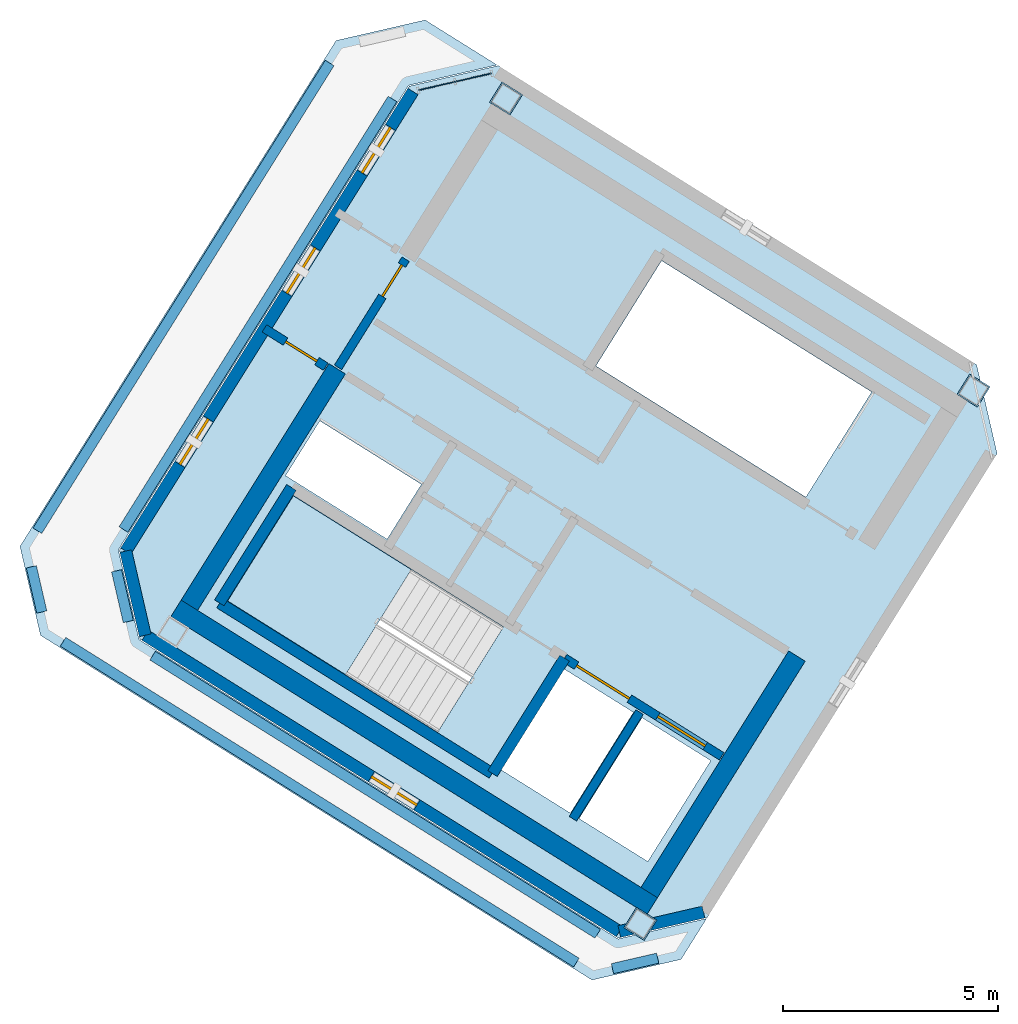
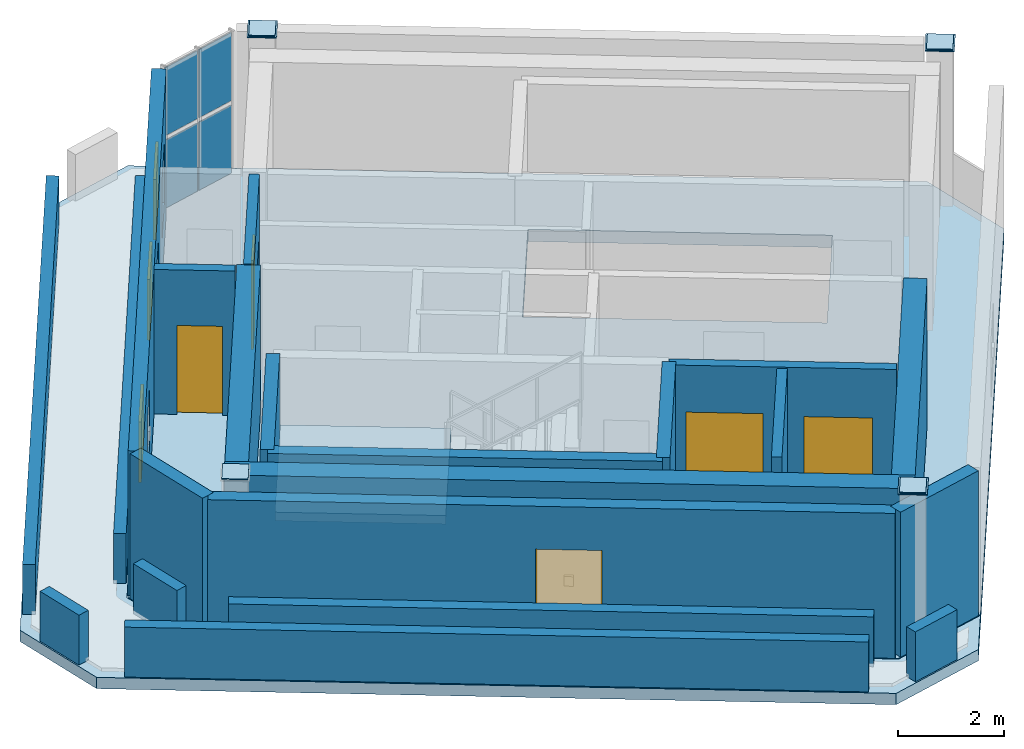
# One storey, part 3 of 5: 21 walls, 11 plates, 4 doors, 4 windows, 3 slabs, 8 openings, 2 elements without a shape of their own.
"""IFC4 building model written with IfcOpenShell, lengths in metres."""

from ifc_helpers import new_model, si_unit, direction, frame, frame_2d, origin, origin_2d, place, context, subcontext, project, spatial, polyline, rectangle, outline, extrude, source, transform, mapped, material, layer, layer_set, type_object, element, fill, aggregate, save


model = new_model("IFC4")

# Units and contexts
model_context = context("Model", 3, precision=1e-05, world=origin(), true_north=direction((0.0, 1.0)))
body_context = subcontext(model_context, "Body", "Model", "MODEL_VIEW")
ifc_project = project(units=[si_unit("LENGTHUNIT", "METRE"), si_unit("AREAUNIT", "SQUARE_METRE"), si_unit("VOLUMEUNIT", "CUBIC_METRE"), si_unit("PLANEANGLEUNIT", "RADIAN"), si_unit("MASSUNIT", "GRAM", prefix="KILO")], contexts=[model_context])

# Site, building, storey
site_placement = place(None, origin())
site = spatial("IfcSite", under=ifc_project, at=site_placement, CompositionType="ELEMENT")
building_placement = place(site_placement, origin())
building = spatial("IfcBuilding", under=site, at=building_placement, Name="Tlacorven Tower", CompositionType="ELEMENT")
storey_placement = place(building_placement, frame((0.0, 0.0, 316.800048828125)))
storey = spatial("IfcBuildingStorey", under=building, at=storey_placement, Name="L81", CompositionType="ELEMENT", Elevation=316.800048828125)

# Stair, slab
ifc_material_1 = material(Name="Concrete C40/50", Category="concrete")
stair_type = type_object("IfcStairType", Name="ST-CORE-DLG", PredefinedType="HALF_TURN_STAIR", material=ifc_material_1)
stair_placement = place(storey_placement, origin())
stair = element("IfcStair", 1, at=stair_placement, inside=storey, type_object=stair_type, Name="L81 Protected Exit Stair West 1", PredefinedType="HALF_TURN_STAIR")
ifc_layer_1 = layer(ifc_material_1, 0.199951171875)
ifc_layer_set_1 = layer_set([ifc_layer_1], Name="Concrete C40/50")
slab_type_1 = type_object("IfcSlabType", Name="SL-LND-200", PredefinedType="LANDING", material=ifc_layer_set_1)
slab_1_placement = place(storey_placement, frame((0.0, 0.0, 1.599853515625)))
slab_1 = element("IfcSlab", 2, at=slab_1_placement, type_object=slab_type_1, Name="ST-W1 landing 1", PredefinedType="LANDING", context=body_context, shape_type="SweptSolid", body=[
    extrude(outline(polyline([(27.728515625, 20.315185546875), (24.9892578125, 22.02685546875), (23.463134765625, 19.58447265625), (26.2021484375, 17.872802734375), (27.728515625, 20.315185546875)])), origin(), (0.0, 0.0, 1.0), 0.2001953125),
])
aggregate(stair, [slab_1])

# Slabs
ifc_layer_2 = layer(ifc_material_1, 0.260009765625)
ifc_layer_set_2 = layer_set([ifc_layer_2], Name="Concrete C40/50")
slab_type_2 = type_object("IfcSlabType", Name="SL-ROF-260", PredefinedType="ROOF", material=ifc_layer_set_2)
slab_2_placement = place(storey_placement, frame((0.0, 0.0, -0.260009765625)))
element("IfcSlab", 3, at=slab_2_placement, inside=storey, type_object=slab_type_2, Name="L81 Stepped Crown Terrace Roof Cap 1", PredefinedType="ROOF", context=body_context, shape_type="SweptSolid", body=[
    extrude(outline(polyline([(33.99169921875, 11.26025390625), (31.9248046875, 10.782958984375), (19.119140625, 18.78466796875), (18.64208984375, 20.851806640625), (25.9814453125, 32.59716796875), (28.04833984375, 33.074462890625), (29.720458984375, 32.029541015625), (27.673095703125, 31.556884765625), (27.671142578125, 31.556396484375), (27.66943359375, 31.5556640625), (27.66748046875, 31.5546875), (27.666015625, 31.5537109375), (27.664306640625, 31.552490234375), (27.6630859375, 31.551025390625), (27.66162109375, 31.549560546875), (27.66064453125, 31.5478515625), (20.9306640625, 20.77783203125), (20.9296875, 20.776123046875), (20.928955078125, 20.774169921875), (20.92822265625, 20.7724609375), (20.927734375, 20.7705078125), (20.927490234375, 20.7685546875), (20.927490234375, 20.7666015625), (20.927734375, 20.7646484375), (20.927978515625, 20.7626953125), (21.4052734375, 18.69580078125), (21.40576171875, 18.69384765625), (21.406494140625, 18.69189453125), (21.407470703125, 18.690185546875), (21.408447265625, 18.6884765625), (21.40966796875, 18.68701171875), (21.4111328125, 18.685546875), (21.41259765625, 18.684326171875), (21.4140625, 18.68310546875), (32.523681640625, 11.7412109375), (32.525390625, 11.740234375), (32.527099609375, 11.739501953125), (32.529052734375, 11.739013671875), (32.531005859375, 11.738525390625), (32.532958984375, 11.73828125), (32.534912109375, 11.73828125), (32.536865234375, 11.738525390625), (32.53857421875, 11.73876953125), (34.586181640625, 12.21142578125), (33.99169921875, 11.26025390625)])), origin(), (0.0, 0.0, 1.0), 0.260009765625),
])
ifc_material_2 = material(Name="Concrete C50/60", Category="concrete")
ifc_layer_3 = layer(ifc_material_2, 0.280029296875)
ifc_layer_set_3 = layer_set([ifc_layer_3], Name="Concrete C50/60")
slab_type_3 = type_object("IfcSlabType", Name="SL-WND-280", PredefinedType="FLOOR", material=ifc_layer_set_3)
slab_3_placement = place(storey_placement, frame((0.0, 0.0, -0.280029296875)))
element("IfcSlab", 4, at=slab_3_placement, inside=storey, type_object=slab_type_3, Name="L81 Stepped Crown Tier 6 Floor Slab", PredefinedType="FLOOR", context=body_context, shape_type="SweptSolid", body=[
    extrude(outline(polyline([(40.85400390625, 25.072509765625), (29.744384765625, 32.0146484375), (27.677490234375, 31.537353515625), (20.947509765625, 20.76708984375), (21.4248046875, 18.7001953125), (32.5341796875, 11.75830078125), (34.60107421875, 12.2353515625), (41.3310546875, 23.005615234375), (40.85400390625, 25.072509765625)]), holes=[polyline([(29.865478515625, 18.979736328125), (24.9892578125, 22.02685546875), (23.463134765625, 19.58447265625), (28.33935546875, 16.537353515625), (29.865478515625, 18.979736328125)]), polyline([(38.4169921875, 24.4375), (33.540771484375, 27.484375), (32.0146484375, 25.0419921875), (36.890869140625, 21.9951171875), (38.4169921875, 24.4375)]), polyline([(34.682373046875, 15.87548828125), (33.088134765625, 16.871826171875), (31.62548828125, 14.531005859375), (33.2197265625, 13.534912109375), (34.682373046875, 15.87548828125)]), polyline([(32.884521484375, 16.9990234375), (31.2392578125, 18.02685546875), (29.77685546875, 15.686279296875), (31.421875, 14.658203125), (32.884521484375, 16.9990234375)]), polyline([(27.96142578125, 22.2919921875), (25.603759765625, 23.76513671875), (24.80908203125, 22.4931640625), (27.16650390625, 21.02001953125), (27.96142578125, 22.2919921875)])]), origin(), (0.0, 0.0, 1.0), 0.280029296875),
])

# Plates
ifc_material_3 = material(Name="Steel S460M", Category="steel")
ifc_layer_4 = layer(ifc_material_3, 0.02001953125)
ifc_layer_set_4 = layer_set([ifc_layer_4], Name="Steel S460M")
plate_type_1 = type_object("IfcPlateType", Name="PL-CAP-END2", PredefinedType="USERDEFINED", material=ifc_layer_set_4)
shared_shape_1 = source(origin(), body_context, "Body", "SweptSolid", [
    extrude(rectangle(XDim=0.56005859375, YDim=0.56005859375, at=origin_2d()), origin(), (0.0, 0.0, 1.0), 0.02001953125),
])
for number, where, z_axis, x_axis, name in (
    (5, (40.782958984375, 24.468505859375, 3.579833984375), (0.0, 0.0, 1.0), (-0.848048096156, 0.529919264233, 0.0), "L81 Box Column Top Cap Plate COL-L81-CR11"),
    (6, (33.046142578125, 12.0869140625, 3.579833984375), (0.0, 0.0, 1.0), (-0.848048096156, 0.529919264233, 0.0), "L81 Box Column Top Cap Plate COL-L81-CR12"),
    (7, (29.927978515625, 31.25146484375, 3.579833984375), (0.0, 0.0, 1.0), (-0.848048096156, 0.529919264233, 0.0), "L81 Box Column Top Cap Plate COL-L81-CR21"),
):
    element("IfcPlate", number, at=place(storey_placement, frame(where, z_axis=z_axis, x_axis=x_axis)), inside=storey, type_object=plate_type_1, Name=name, ObjectType="END PLATE", PredefinedType="USERDEFINED", context=body_context, shape_type="MappedRepresentation", body=[
        mapped(shared_shape_1, transform((0.0, 0.0, 0.0), scale=1.0)),
    ])
ifc_layer_5 = layer(ifc_material_3, 0.02392578125)
ifc_layer_set_5 = layer_set([ifc_layer_5], Name="Steel S460M")
plate_type_2 = type_object("IfcPlateType", Name="PL-CAP-END1", PredefinedType="USERDEFINED", material=ifc_layer_set_5)
shared_shape_2 = source(origin(), body_context, "Body", "SweptSolid", [
    extrude(rectangle(XDim=0.5, YDim=0.5, at=origin_2d()), origin(), (0.0, 0.0, 1.0), 0.02392578125),
])
for number, where, z_axis, x_axis, name in (
    (8, (40.782958984375, 24.468505859375, 3.597900390625), (0.0, 0.0, 1.0), (-0.848048096156, 0.529919264233, 0.0), "L81 Hollow Column Top Cap Plate COL-L81-CR11"),
    (9, (33.046142578125, 12.0869140625, 3.597900390625), (0.0, 0.0, 1.0), (-0.848048096156, 0.529919264233, 0.0), "L81 Hollow Column Top Cap Plate COL-L81-CR12"),
    (10, (29.927978515625, 31.25146484375, 3.597900390625), (0.0, 0.0, 1.0), (-0.848048096156, 0.529919264233, 0.0), "L81 Hollow Column Top Cap Plate COL-L81-CR21"),
    (11, (22.191162109375, 18.869873046875, 3.597900390625), (0.0, 0.0, 1.0), (-0.848048096156, 0.529919264233, 0.0), "L81 Hollow Column Top Cap Plate COL-L81-CR22"),
):
    element("IfcPlate", number, at=place(storey_placement, frame(where, z_axis=z_axis, x_axis=x_axis)), inside=storey, type_object=plate_type_2, Name=name, ObjectType="END PLATE", PredefinedType="USERDEFINED", context=body_context, shape_type="MappedRepresentation", body=[
        mapped(shared_shape_2, transform((0.0, 0.0, 0.0), scale=1.0)),
    ])

# Curtain wall, plates
ifc_material_4 = material(Name="Dark solar low-E double glazing in aluminium frame", Category="aluminium")
curtain_wall_type = type_object("IfcCurtainWallType", Name="CW-CRN-LANTERN", PredefinedType="USERDEFINED", material=ifc_material_4)
curtain_wall_placement = place(storey_placement, origin())
curtain_wall = element("IfcCurtainWall", 12, at=curtain_wall_placement, inside=storey, type_object=curtain_wall_type, Name="L81 CW-CRN-LANTERN Curtain Wall 367", ObjectType="UNITISED CURTAIN WALL", PredefinedType="USERDEFINED")
ifc_material_5 = material(Name="Crown dark solar fritted low-E glazing", Category="glass")
ifc_layer_6 = layer(ifc_material_5, 0.02392578125)
ifc_layer_set_6 = layer_set([ifc_layer_6], Name="Crown dark solar fritted low-E glazing")
plate_type_3 = type_object("IfcPlateType", Name="CWP-04", PredefinedType="CURTAIN_PANEL", material=ifc_layer_set_6)
shared_shape_3 = source(origin(), body_context, "Body", "SweptSolid", [
    extrude(rectangle(XDim=0.838134765625, YDim=0.02392578125, at=origin_2d()), origin(), (0.0, 0.0, 1.0), 1.568115234375),
])
plate_1_placement = place(storey_placement, frame((28.316162109375, 31.541015625, 0.05078125), z_axis=(0.0, 0.0, 1.0), x_axis=(0.974369342296, 0.224954183764, 0.0)))
plate_1 = element("IfcPlate", 13, at=plate_1_placement, type_object=plate_type_3, Name="CW-L81-367 Glazing Panel 1", PredefinedType="CURTAIN_PANEL", context=body_context, shape_type="MappedRepresentation", body=[
    mapped(shared_shape_3, transform((0.0, 0.0, 0.0), scale=1.0)),
])
plate_2_placement = place(storey_placement, frame((28.316162109375, 31.541015625, 1.720703125), z_axis=(0.0, 0.0, 1.0), x_axis=(0.974369342296, 0.224954183764, 0.0)))
plate_2 = element("IfcPlate", 14, at=plate_2_placement, type_object=plate_type_3, Name="CW-L81-367 Glazing Panel 2", PredefinedType="CURTAIN_PANEL", context=body_context, shape_type="MappedRepresentation", body=[
    mapped(shared_shape_3, transform((0.0, 0.0, 0.0), scale=1.0)),
])
plate_3_placement = place(storey_placement, frame((29.1689453125, 31.738037109375, 0.05078125), z_axis=(0.0, 0.0, 1.0), x_axis=(0.974369342296, 0.224954183764, 0.0)))
plate_3 = element("IfcPlate", 15, at=plate_3_placement, type_object=plate_type_3, Name="CW-L81-367 Glazing Panel 3", PredefinedType="CURTAIN_PANEL", context=body_context, shape_type="MappedRepresentation", body=[
    mapped(shared_shape_3, transform((0.0, 0.0, 0.0), scale=1.0)),
])
plate_4_placement = place(storey_placement, frame((29.1689453125, 31.738037109375, 1.720703125), z_axis=(0.0, 0.0, 1.0), x_axis=(0.974369342296, 0.224954183764, 0.0)))
plate_4 = element("IfcPlate", 16, at=plate_4_placement, type_object=plate_type_3, Name="CW-L81-367 Glazing Panel 4", PredefinedType="CURTAIN_PANEL", context=body_context, shape_type="MappedRepresentation", body=[
    mapped(shared_shape_3, transform((0.0, 0.0, 0.0), scale=1.0)),
])
aggregate(curtain_wall, [plate_1, plate_2, plate_3, plate_4])

# Walls
ifc_layer_7 = layer(ifc_material_2, 0.449951171875)
ifc_layer_set_7 = layer_set([ifc_layer_7], Name="Concrete C50/60")
wall_type_1 = type_object("IfcWallType", Name="WL-COR-450", PredefinedType="SHEAR", material=ifc_layer_set_7)
wall_1_placement = place(storey_placement, frame((33.32373046875, 12.5029296875, 0.0), z_axis=(0.0, 0.0, 1.0), x_axis=(-0.848043529849, 0.529926571782, 0.0)))
element("IfcWall", 17, at=wall_1_placement, inside=storey, type_object=wall_type_1, Name="L81 W core shear wall S2", PredefinedType="SHEAR", context=body_context, shape_type="SweptSolid", body=[
    extrude(rectangle(XDim=13.039794921875, YDim=0.449951171875, at=frame_2d((6.52001953125, 0.0))), origin(), (0.0, 0.0, 1.0), 3.33984375),
])
for number, where, z_axis, x_axis, name in (
    (18, (36.683349609375, 18.30419921875, 0.0), (0.0, 0.0, 1.0), (-0.529904039071, -0.848057609704, 0.0), "L81 W core end wall E1.2"),
    (19, (26.006591796875, 24.975830078125, 0.0), (0.0, 0.0, 1.0), (-0.529931155655, -0.848040665456, 0.0), "L81 W core end wall E2.2"),
):
    element("IfcWall", number, at=place(storey_placement, frame(where, z_axis=z_axis, x_axis=x_axis)), inside=storey, type_object=wall_type_1, Name=name, PredefinedType="SHEAR", context=body_context, shape_type="SweptSolid", body=[
        extrude(rectangle(XDim=6.47509765625, YDim=0.449951171875, at=frame_2d((3.237548828125, 0.0))), origin(), (0.0, 0.0, 1.0), 3.33984375),
    ])
ifc_material_6 = material(Name="Precast concrete C45/55", Category="concrete")
ifc_layer_8 = layer(ifc_material_6, 0.280029296875)
ifc_layer_set_8 = layer_set([ifc_layer_8], Name="Precast concrete C45/55")
wall_type_2 = type_object("IfcWallType", Name="WL-EXT-280", PredefinedType="STANDARD", material=ifc_layer_set_8)
wall_2_placement = place(storey_placement, frame((34.51318359375, 12.35888671875, 0.0), z_axis=(0.0, 0.0, 1.0), x_axis=(-0.974366569301, -0.224966194411, 0.0)))
element("IfcWall", 20, at=wall_2_placement, inside=storey, type_object=wall_type_2, Name="L81 Masonry-Frame Recessed Facade Wall 2", PredefinedType="STANDARD", context=body_context, shape_type="SweptSolid", body=[
    extrude(rectangle(XDim=2.005615234375, YDim=0.280029296875, at=frame_2d((1.0029296875, 0.0))), origin(), (0.0, 0.0, 1.0), 3.33984375),
])

# Wall, opening, window
wall_3_placement = place(storey_placement, frame((32.55908203125, 11.90771484375, 0.0), z_axis=(0.0, 0.0, 1.0), x_axis=(-0.848050062002, 0.529916118209, 0.0)))
wall_3 = element("IfcWall", 21, at=wall_3_placement, inside=storey, type_object=wall_type_2, Name="L81 Masonry-Frame Recessed Facade Wall 3", PredefinedType="STANDARD", context=body_context, shape_type="SweptSolid", body=[
    extrude(rectangle(XDim=12.98388671875, YDim=0.280029296875, at=frame_2d((6.491943359375, 0.0))), origin(), (0.0, 0.0, 1.0), 3.33984375),
])
opening_1_placement = place(wall_3_placement, frame((5.541015625, 0.0, 0.949951171875)))
opening_1 = element("IfcOpeningElement", 22, at=opening_1_placement, cuts=wall_3, Name="Opening WN20", PredefinedType="OPENING", context=body_context, shape_type="SweptSolid", body=[
    extrude(rectangle(XDim=1.25, YDim=1.39990234375, at=frame_2d((0.625, 0.699951171875))), frame((0.0, 0.14990234375, 0.0), z_axis=(0.0, -1.0, 0.0), x_axis=(1.0, 0.0, 0.0)), (0.0, 0.0, 1.0), 0.300048828125),
])
ifc_material_7 = material(Name="Dark solar low-E double glazing in anodised aluminium frame", Category="aluminium")
window_type = type_object("IfcWindowType", Name="WN-CRN-1250X1500", PartitioningType="SINGLE_PANEL", PredefinedType="WINDOW", material=ifc_material_7)
shared_shape_4 = source(origin(), body_context, "Body", "SweptSolid", [
    extrude(rectangle(XDim=1.25, YDim=1.39990234375, at=frame_2d((0.625, 0.699951171875))), frame((0.0, 0.030029296875, 0.0), z_axis=(0.0, -1.0, 0.0), x_axis=(1.0, 0.0, 0.0)), (0.0, 0.0, 1.0), 0.06005859375),
])
window_1_placement = place(opening_1_placement, origin())
window_1 = element("IfcWindow", 23, at=window_1_placement, inside=storey, type_object=window_type, Name="L81 Acoustic Plant Facade Window 3.1", OverallHeight=1.39990234375, OverallWidth=1.25, PartitioningType="SINGLE_PANEL", PredefinedType="WINDOW", context=body_context, shape_type="MappedRepresentation", body=[
    mapped(shared_shape_4, transform((0.0, 0.0, 0.0), scale=1.0)),
])
fill(opening_1, window_1)

# Wall
wall_4_placement = place(storey_placement, frame((21.548095703125, 18.7880859375, 0.0), z_axis=(0.0, 0.0, 1.0), x_axis=(-0.224966194411, 0.974366569301, 0.0)))
element("IfcWall", 24, at=wall_4_placement, inside=storey, type_object=wall_type_2, Name="L81 Masonry-Frame Recessed Facade Wall 4", PredefinedType="STANDARD", context=body_context, shape_type="SweptSolid", body=[
    extrude(rectangle(XDim=2.005615234375, YDim=0.280029296875, at=frame_2d((1.0029296875, 0.0))), origin(), (0.0, 0.0, 1.0), 3.33984375),
])

# Wall, openings, windows
wall_5_placement = place(storey_placement, frame((21.096923828125, 20.7421875, 0.0), z_axis=(0.0, 0.0, 1.0), x_axis=(0.529929183008, 0.848041898138, 0.0)))
wall_5 = element("IfcWall", 25, at=wall_5_placement, inside=storey, type_object=wall_type_2, Name="L81 Masonry-Frame Recessed Facade Wall 5", PredefinedType="STANDARD", context=body_context, shape_type="SweptSolid", body=[
    extrude(rectangle(XDim=12.584228515625, YDim=0.280029296875, at=frame_2d((6.2919921875, 0.0))), origin(), (0.0, 0.0, 1.0), 3.33984375),
])
opening_2_placement = place(wall_5_placement, frame((2.37109375, 0.0, 0.949951171875)))
opening_2 = element("IfcOpeningElement", 26, at=opening_2_placement, cuts=wall_5, Name="Opening WN20", PredefinedType="OPENING", context=body_context, shape_type="SweptSolid", body=[
    extrude(rectangle(XDim=1.25, YDim=1.39990234375, at=frame_2d((0.625, 0.699951171875))), frame((0.0, 0.14990234375, 0.0), z_axis=(0.0, -1.0, 0.0), x_axis=(1.0, 0.0, 0.0)), (0.0, 0.0, 1.0), 0.300048828125),
])
opening_3_placement = place(wall_5_placement, frame((7.056884765625, 0.0, 0.949951171875)))
opening_3 = element("IfcOpeningElement", 27, at=opening_3_placement, cuts=wall_5, Name="Opening WN20", PredefinedType="OPENING", context=body_context, shape_type="SweptSolid", body=[
    extrude(rectangle(XDim=1.25, YDim=1.39990234375, at=frame_2d((0.625, 0.699951171875))), frame((0.0, 0.14990234375, 0.0), z_axis=(0.0, -1.0, 0.0), x_axis=(1.0, 0.0, 0.0)), (0.0, 0.0, 1.0), 0.300048828125),
])
opening_4_placement = place(wall_5_placement, frame((10.35302734375, 0.0, 0.949951171875)))
opening_4 = element("IfcOpeningElement", 28, at=opening_4_placement, cuts=wall_5, Name="Opening WN20", PredefinedType="OPENING", context=body_context, shape_type="SweptSolid", body=[
    extrude(rectangle(XDim=1.25, YDim=1.39990234375, at=frame_2d((0.625, 0.699951171875))), frame((0.0, 0.14990234375, 0.0), z_axis=(0.0, -1.0, 0.0), x_axis=(1.0, 0.0, 0.0)), (0.0, 0.0, 1.0), 0.300048828125),
])
window_2_placement = place(opening_2_placement, origin())
window_2 = element("IfcWindow", 29, at=window_2_placement, inside=storey, type_object=window_type, Name="L81 Acoustic Plant Facade Window 5.1", OverallHeight=1.39990234375, OverallWidth=1.25, PartitioningType="SINGLE_PANEL", PredefinedType="WINDOW", context=body_context, shape_type="MappedRepresentation", body=[
    mapped(shared_shape_4, transform((0.0, 0.0, 0.0), scale=1.0)),
])
fill(opening_2, window_2)
window_3_placement = place(opening_3_placement, origin())
window_3 = element("IfcWindow", 30, at=window_3_placement, inside=storey, type_object=window_type, Name="L81 Acoustic Plant Facade Window 5.2", OverallHeight=1.39990234375, OverallWidth=1.25, PartitioningType="SINGLE_PANEL", PredefinedType="WINDOW", context=body_context, shape_type="MappedRepresentation", body=[
    mapped(shared_shape_4, transform((0.0, 0.0, 0.0), scale=1.0)),
])
fill(opening_3, window_3)
window_4_placement = place(opening_4_placement, origin())
window_4 = element("IfcWindow", 31, at=window_4_placement, inside=storey, type_object=window_type, Name="L81 Acoustic Plant Facade Window 5.3", OverallHeight=1.39990234375, OverallWidth=1.25, PartitioningType="SINGLE_PANEL", PredefinedType="WINDOW", context=body_context, shape_type="MappedRepresentation", body=[
    mapped(shared_shape_4, transform((0.0, 0.0, 0.0), scale=1.0)),
])
fill(opening_4, window_4)

# Walls
ifc_layer_9 = layer(ifc_material_6, 0.239990234375)
ifc_layer_set_9 = layer_set([ifc_layer_9], Name="Precast concrete C45/55")
wall_type_3 = type_object("IfcWallType", Name="WL-PAR-240", PredefinedType="PARAPET", material=ifc_layer_set_9)
wall_6_placement = place(storey_placement, frame((33.44921875, 11.288818359375, 0.0), z_axis=(0.0, 0.0, 1.0), x_axis=(-0.974383553348, -0.224892620968, 0.0)))
element("IfcWall", 32, at=wall_6_placement, inside=storey, type_object=wall_type_3, Name="L81 Stepped Crown Terrace Parapet 1 1", PredefinedType="PARAPET", context=body_context, shape_type="SweptSolid", body=[
    extrude(rectangle(XDim=1.076904296875, YDim=0.239990234375, at=frame_2d((0.53857421875, 0.0))), origin(), (0.0, 0.0, 1.0), 1.14990234375),
])
wall_7_placement = place(storey_placement, frame((31.5615234375, 11.186767578125, 0.0), z_axis=(0.0, 0.0, 1.0), x_axis=(-0.848045139611, 0.529923995666, 0.0)))
element("IfcWall", 33, at=wall_7_placement, inside=storey, type_object=wall_type_3, Name="L81 Stepped Crown Terrace Parapet 1 2", PredefinedType="PARAPET", context=body_context, shape_type="SweptSolid", body=[
    extrude(rectangle(XDim=14.0556640625, YDim=0.239990234375, at=frame_2d((7.02783203125, 0.0))), origin(), (0.0, 0.0, 1.0), 1.14990234375),
])
wall_8_placement = place(storey_placement, frame((19.14794921875, 19.3271484375, 0.0), z_axis=(0.0, 0.0, 1.0), x_axis=(-0.224842953123, 0.974395015602, 0.0)))
element("IfcWall", 34, at=wall_8_placement, inside=storey, type_object=wall_type_3, Name="L81 Stepped Crown Terrace Parapet 1 3", PredefinedType="PARAPET", context=body_context, shape_type="SweptSolid", body=[
    extrude(rectangle(XDim=1.0771484375, YDim=0.239990234375, at=frame_2d((0.53857421875, 0.0))), origin(), (0.0, 0.0, 1.0), 1.14990234375),
])
wall_9_placement = place(storey_placement, frame((19.0458984375, 21.215087890625, 0.0), z_axis=(0.0, 0.0, 1.0), x_axis=(0.529926962877, 0.848043285461, 0.0)))
element("IfcWall", 35, at=wall_9_placement, inside=storey, type_object=wall_type_3, Name="L81 Stepped Crown Terrace Parapet 1 4", PredefinedType="PARAPET", context=body_context, shape_type="SweptSolid", body=[
    extrude(rectangle(XDim=12.805908203125, YDim=0.239990234375, at=frame_2d((6.40283203125, 0.0))), origin(), (0.0, 0.0, 1.0), 1.14990234375),
])
wall_10_placement = place(storey_placement, frame((27.29150390625, 31.240478515625, 0.0), z_axis=(0.0, 0.0, 1.0), x_axis=(-0.529915158755, -0.84805066153, 0.0)))
element("IfcWall", 36, at=wall_10_placement, inside=storey, type_object=wall_type_3, Name="L81 Stepped Crown Terrace Parapet 1 6", PredefinedType="PARAPET", context=body_context, shape_type="SweptSolid", body=[
    extrude(rectangle(XDim=11.787353515625, YDim=0.239990234375, at=frame_2d((5.8935546875, 0.0))), origin(), (0.0, 0.0, 1.0), 1.14990234375),
])
wall_11_placement = place(storey_placement, frame((20.884521484375, 20.2841796875, 0.0), z_axis=(0.0, 0.0, 1.0), x_axis=(0.225051308725, -0.974346913805, 0.0)))
element("IfcWall", 37, at=wall_11_placement, inside=storey, type_object=wall_type_3, Name="L81 Stepped Crown Terrace Parapet 1 7", PredefinedType="PARAPET", context=body_context, shape_type="SweptSolid", body=[
    extrude(rectangle(XDim=1.20849609375, YDim=0.239990234375, at=frame_2d((0.604248046875, 0.0))), origin(), (0.0, 0.0, 1.0), 1.14990234375),
])
wall_12_placement = place(storey_placement, frame((21.7216796875, 18.314208984375, 0.0), z_axis=(0.0, 0.0, 1.0), x_axis=(0.848044443536, -0.529925109604, 0.0)))
element("IfcWall", 38, at=wall_12_placement, inside=storey, type_object=wall_type_3, Name="L81 Stepped Crown Terrace Parapet 1 8", PredefinedType="PARAPET", context=body_context, shape_type="SweptSolid", body=[
    extrude(rectangle(XDim=12.18701171875, YDim=0.239990234375, at=frame_2d((6.093505859375, 0.0))), origin(), (0.0, 0.0, 1.0), 1.14990234375),
])

# Wall, openings, doors
ifc_layer_10 = layer(ifc_material_1, 0.199951171875)
ifc_layer_set_10 = layer_set([ifc_layer_10], Name="Concrete C40/50")
wall_type_4 = type_object("IfcWallType", Name="WL-SHF-200", PredefinedType="STANDARD", material=ifc_layer_set_10)
wall_13_placement = place(storey_placement, frame((34.93310546875, 15.978271484375, 0.0), z_axis=(0.0, 0.0, 1.0), x_axis=(-0.848055739377, 0.529907032327, 0.0)))
wall_13 = element("IfcWall", 39, at=wall_13_placement, inside=storey, type_object=wall_type_4, Name="L81 Core W Firefighting Lift Shaft Front Wall", PredefinedType="STANDARD", context=body_context, shape_type="SweptSolid", body=[
    extrude(rectangle(XDim=4.298095703125, YDim=0.199951171875, at=frame_2d((2.14892578125, 0.0))), origin(), (0.0, 0.0, 1.0), 3.329833984375),
])
opening_5_placement = place(wall_13_placement, frame((0.447998046875, 0.0, 0.0)))
opening_5 = element("IfcOpeningElement", 40, at=opening_5_placement, cuts=wall_13, Name="Opening LD03", PredefinedType="OPENING", context=body_context, shape_type="SweptSolid", body=[
    extrude(rectangle(XDim=1.300048828125, YDim=2.199951171875, at=frame_2d((0.64990234375, 1.10009765625))), frame((0.0, 0.10986328125, 0.0), z_axis=(0.0, -1.0, 0.0), x_axis=(1.0, 0.0, 0.0)), (0.0, 0.0, 1.0), 0.219970703125),
])
opening_6_placement = place(wall_13_placement, frame((2.52294921875, 0.0, 0.0)))
opening_6 = element("IfcOpeningElement", 41, at=opening_6_placement, cuts=wall_13, Name="Opening LD04", PredefinedType="OPENING", context=body_context, shape_type="SweptSolid", body=[
    extrude(rectangle(XDim=1.449951171875, YDim=2.25, at=frame_2d((0.72509765625, 1.125))), frame((0.0, 0.10986328125, 0.0), z_axis=(0.0, -1.0, 0.0), x_axis=(1.0, 0.0, 0.0)), (0.0, 0.0, 1.0), 0.219970703125),
])
ifc_material_8 = material(Name="Fire-rated steel door assembly", Category="steel")
door_type_1 = type_object("IfcDoorType", Name="DR-LFT-SLID-1300", OperationType="DOUBLE_DOOR_SLIDING", PredefinedType="DOOR", material=ifc_material_8)
shared_shape_5 = source(origin(), body_context, "Body", "SweptSolid", [
    extrude(rectangle(XDim=1.300048828125, YDim=2.199951171875, at=frame_2d((0.64990234375, 1.10009765625))), frame((0.0, 0.02490234375, 0.0), z_axis=(0.0, -1.0, 0.0), x_axis=(1.0, 0.0, 0.0)), (0.0, 0.0, 1.0), 0.050048828125),
])
door_1_placement = place(opening_5_placement, origin())
door_1 = element("IfcDoor", 42, at=door_1_placement, inside=storey, type_object=door_type_1, Name="L81 Lift FFL-W1 Sliding Landing Door", OperationType="DOUBLE_DOOR_SLIDING", OverallHeight=2.199951171875, OverallWidth=1.300048828125, PredefinedType="DOOR", context=body_context, shape_type="MappedRepresentation", body=[
    mapped(shared_shape_5, transform((0.0, 0.0, 0.0), scale=1.0)),
])
fill(opening_5, door_1)
door_type_2 = type_object("IfcDoorType", Name="DR-LFT-SLID-1450", OperationType="DOUBLE_DOOR_SLIDING", PredefinedType="DOOR", material=ifc_material_8)
shared_shape_6 = source(origin(), body_context, "Body", "SweptSolid", [
    extrude(rectangle(XDim=1.449951171875, YDim=2.25, at=frame_2d((0.72509765625, 1.125))), frame((0.0, 0.02490234375, 0.0), z_axis=(0.0, -1.0, 0.0), x_axis=(1.0, 0.0, 0.0)), (0.0, 0.0, 1.0), 0.050048828125),
])
door_2_placement = place(opening_6_placement, origin())
door_2 = element("IfcDoor", 43, at=door_2_placement, inside=storey, type_object=door_type_2, Name="L81 Lift SVL-W1 Sliding Landing Door", OperationType="DOUBLE_DOOR_SLIDING", OverallHeight=2.25, OverallWidth=1.449951171875, PredefinedType="DOOR", context=body_context, shape_type="MappedRepresentation", body=[
    mapped(shared_shape_6, transform((0.0, 0.0, 0.0), scale=1.0)),
])
fill(opening_6, door_2)

# Wall
wall_14_placement = place(storey_placement, frame((33.02880859375, 17.003173828125, 0.0), z_axis=(0.0, 0.0, 1.0), x_axis=(-0.529916267533, -0.848049968695, 0.0)))
element("IfcWall", 44, at=wall_14_placement, inside=storey, type_object=wall_type_4, Name="L81 partition 13", PredefinedType="STANDARD", context=body_context, shape_type="SweptSolid", body=[
    extrude(rectangle(XDim=2.919921875, YDim=0.199951171875, at=frame_2d((1.4599609375, 0.0))), origin(), (0.0, 0.0, 1.0), 3.329833984375),
])

# Wall, opening, door
wall_15_placement = place(storey_placement, frame((27.59619140625, 27.52001953125, 0.0), z_axis=(0.0, 0.0, 1.0), x_axis=(-0.529865479138, -0.848081702443, 0.0)))
wall_15 = element("IfcWall", 45, at=wall_15_placement, inside=storey, type_object=wall_type_4, Name="L81 partition 20", PredefinedType="STANDARD", context=body_context, shape_type="SweptSolid", body=[
    extrude(rectangle(XDim=2.9599609375, YDim=0.199951171875, at=frame_2d((1.47998046875, 0.0))), origin(), (0.0, 0.0, 1.0), 3.329833984375),
])
opening_7_placement = place(wall_15_placement, frame((0.159912109375, 0.0, 0.0)))
opening_7 = element("IfcOpeningElement", 46, at=opening_7_placement, cuts=wall_15, Name="Opening D19", PredefinedType="OPENING", context=body_context, shape_type="SweptSolid", body=[
    extrude(rectangle(XDim=0.860107421875, YDim=2.050048828125, at=frame_2d((0.43017578125, 1.02490234375))), frame((0.0, 0.10986328125, 0.0), z_axis=(0.0, -1.0, 0.0), x_axis=(1.0, 0.0, 0.0)), (0.0, 0.0, 1.0), 0.219970703125),
])
door_type_3 = type_object("IfcDoorType", Name="DR-RSR-FD60-0860", OperationType="NOTDEFINED", PredefinedType="DOOR", material=ifc_material_8)
shared_shape_7 = source(origin(), body_context, "Body", "SweptSolid", [
    extrude(rectangle(XDim=0.860107421875, YDim=2.050048828125, at=frame_2d((0.43017578125, 1.02490234375))), frame((0.0, 0.02490234375, 0.0), z_axis=(0.0, -1.0, 0.0), x_axis=(1.0, 0.0, 0.0)), (0.0, 0.0, 1.0), 0.050048828125),
])
door_3_placement = place(opening_7_placement, origin())
door_3 = element("IfcDoor", 47, at=door_3_placement, inside=storey, type_object=door_type_3, Name="L81 door 012", OperationType="SINGLE_SWING_LEFT", OverallHeight=2.050048828125, OverallWidth=0.860107421875, PredefinedType="DOOR", context=body_context, shape_type="MappedRepresentation", body=[
    mapped(shared_shape_7, transform((0.0, 0.0, 0.0), scale=1.0)),
])
fill(opening_7, door_3)

wall_16_placement = place(storey_placement, frame((25.73974609375, 25.024658203125, 0.0), z_axis=(0.0, 0.0, 1.0), x_axis=(-0.848031001218, 0.529946620871, 0.0)))
wall_16 = element("IfcWall", 48, at=wall_16_placement, inside=storey, type_object=wall_type_4, Name="L81 partition 21", PredefinedType="STANDARD", context=body_context, shape_type="SweptSolid", body=[
    extrude(rectangle(XDim=1.677734375, YDim=0.199951171875, at=frame_2d((0.8388671875, 0.0))), origin(), (0.0, 0.0, 1.0), 3.329833984375),
])
opening_8_placement = place(wall_16_placement, frame((0.238037109375, 0.0, 0.0)))
opening_8 = element("IfcOpeningElement", 49, at=opening_8_placement, cuts=wall_16, Name="Opening D19", PredefinedType="OPENING", context=body_context, shape_type="SweptSolid", body=[
    extrude(rectangle(XDim=0.860107421875, YDim=2.050048828125, at=frame_2d((0.43017578125, 1.02490234375))), frame((0.0, 0.10986328125, 0.0), z_axis=(0.0, -1.0, 0.0), x_axis=(1.0, 0.0, 0.0)), (0.0, 0.0, 1.0), 0.219970703125),
])
door_4_placement = place(opening_8_placement, origin())
door_4 = element("IfcDoor", 50, at=door_4_placement, inside=storey, type_object=door_type_3, Name="L81 door 013", OperationType="SINGLE_SWING_RIGHT", OverallHeight=2.050048828125, OverallWidth=0.860107421875, PredefinedType="DOOR", context=body_context, shape_type="MappedRepresentation", body=[
    mapped(shared_shape_7, transform((0.0, 0.0, 0.0), scale=1.0)),
])
fill(opening_8, door_4)

# Walls
ifc_layer_11 = layer(ifc_material_2, 0.260009765625)
ifc_layer_set_11 = layer_set([ifc_layer_11], Name="Concrete C50/60")
wall_type_5 = type_object("IfcWallType", Name="WL-STW-260", PredefinedType="SHEAR", material=ifc_layer_set_11)
wall_17_placement = place(storey_placement, frame((29.60498046875, 15.581298828125, 0.0), z_axis=(0.0, 0.0, 1.0), x_axis=(-0.848036911448, 0.529937163087, 0.0)))
element("IfcWall", 51, at=wall_17_placement, inside=storey, type_object=wall_type_5, Name="L81 Stair W1 Far Shear Wall", PredefinedType="SHEAR", context=body_context, shape_type="SweptSolid", body=[
    extrude(rectangle(XDim=7.4599609375, YDim=0.260009765625, at=frame_2d((3.72998046875, 0.0))), origin(), (0.0, 0.0, 1.0), 3.33984375),
])
wall_18_placement = place(storey_placement, frame((31.2880859375, 18.255859375, 0.0), z_axis=(0.0, 0.0, 1.0), x_axis=(-0.529943379326, -0.848033026897, 0.0)))
element("IfcWall", 52, at=wall_18_placement, inside=storey, type_object=wall_type_5, Name="L81 Stair W1 West Shear Wall", PredefinedType="SHEAR", context=body_context, shape_type="SweptSolid", body=[
    extrude(rectangle(XDim=3.159912109375, YDim=0.260009765625, at=frame_2d((1.580078125, 0.0))), origin(), (0.0, 0.0, 1.0), 3.33984375),
])
wall_19_placement = place(storey_placement, frame((24.944580078125, 22.2197265625, 0.0), z_axis=(0.0, 0.0, 1.0), x_axis=(-0.529908658664, -0.84805472316, 0.0)))
element("IfcWall", 53, at=wall_19_placement, inside=storey, type_object=wall_type_5, Name="L81 Stair W1 East Shear Wall", PredefinedType="SHEAR", context=body_context, shape_type="SweptSolid", body=[
    extrude(rectangle(XDim=3.16015625, YDim=0.260009765625, at=frame_2d((1.580078125, 0.0))), origin(), (0.0, 0.0, 1.0), 3.33984375),
])

save(model, "model.ifc")
